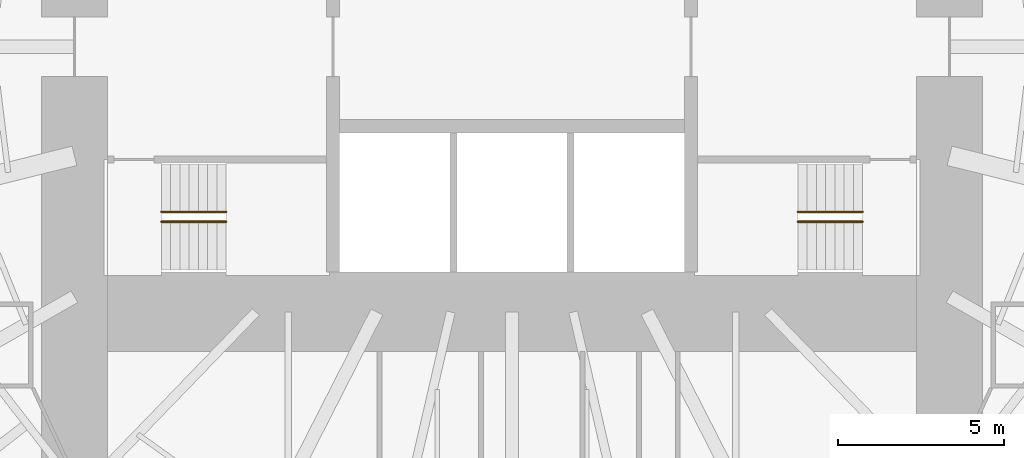
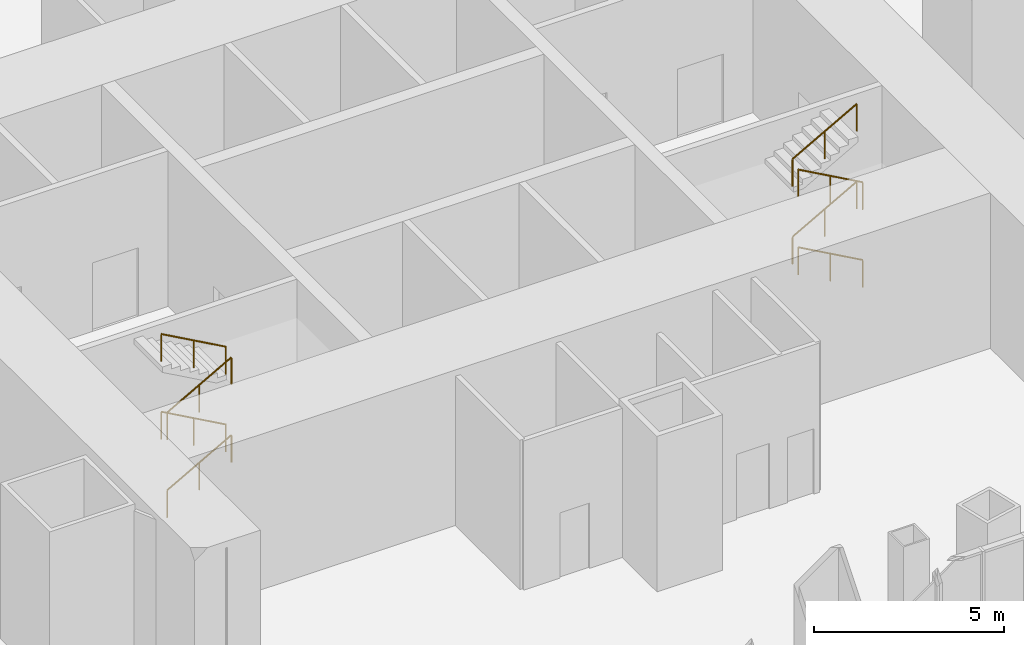
# One storey, part 73 of 73: 8 railings.
"""IFC4 building model written with IfcOpenShell, lengths in metres."""

from ifc_helpers import new_model, si_unit, direction, frame, origin, origin_2d, place, context, subcontext, project, spatial, circle, extrude, material, type_object, element, save


model = new_model("IFC4")

# Units and contexts
model_context = context("Model", 3, precision=1e-05, world=origin(), true_north=direction((0.0, 1.0)))
body_context = subcontext(model_context, "Body", "Model", "MODEL_VIEW")
ifc_project = project(units=[si_unit("LENGTHUNIT", "METRE"), si_unit("AREAUNIT", "SQUARE_METRE"), si_unit("VOLUMEUNIT", "CUBIC_METRE"), si_unit("PLANEANGLEUNIT", "RADIAN"), si_unit("MASSUNIT", "GRAM", prefix="KILO")], contexts=[model_context])

# Site, building, storey
site_placement = place(None, origin())
site = spatial("IfcSite", under=ifc_project, at=site_placement, CompositionType="ELEMENT")
building_placement = place(site_placement, origin())
building = spatial("IfcBuilding", under=site, at=building_placement, Name="Lantaw Convention Tower", CompositionType="ELEMENT")
storey_placement = place(building_placement, frame((0.0, 0.0, 22.0)))
storey = spatial("IfcBuildingStorey", under=building, at=storey_placement, Name="L03", CompositionType="ELEMENT", Elevation=22.0)

# Railings
ifc_material = material(Name="Stainless steel", Category="steel")
railing_type = type_object("IfcRailingType", Name="Stair handrail", PredefinedType="HANDRAIL", material=ifc_material)
railing_1_placement = place(storey_placement, frame((-10.580078125, -5.280029296875, 0.15625)))
element("IfcRailing", 1, at=railing_1_placement, inside=storey, type_object=railing_type, Name="Stair handrail S1", PredefinedType="HANDRAIL", context=body_context, shape_type="SweptSolid", body=[
    extrude(circle(Radius=0.02392578125, at=origin_2d()), frame((0.0, 0.0, 0.8759765625), z_axis=(0.873232148454, 0.0, 0.487304437602), x_axis=(0.0, 1.0, 0.0)), (0.0, 0.0, 1.0), 2.244384765625),
    extrude(circle(Radius=0.02099609375, at=origin_2d()), origin(), (0.0, 0.0, 1.0), 0.851806640625),
    extrude(circle(Radius=0.02099609375, at=origin_2d()), frame((0.97998046875, 0.0, 0.546875)), (0.0, 0.0, 1.0), 0.851806640625),
    extrude(circle(Radius=0.02099609375, at=origin_2d()), frame((1.9599609375, 0.0, 1.09375)), (0.0, 0.0, 1.0), 0.851806640625),
])
railing_2_placement = place(storey_placement, frame((-8.6201171875, -4.97998046875, 1.40625)))
element("IfcRailing", 2, at=railing_2_placement, inside=storey, type_object=railing_type, Name="Stair handrail S1", PredefinedType="HANDRAIL", context=body_context, shape_type="SweptSolid", body=[
    extrude(circle(Radius=0.02392578125, at=origin_2d()), frame((0.0, 0.0, 0.8759765625), z_axis=(-0.873232148454, 0.0, 0.487304437602), x_axis=(0.0, -1.0, 0.0)), (0.0, 0.0, 1.0), 2.244384765625),
    extrude(circle(Radius=0.02099609375, at=origin_2d()), origin(), (0.0, 0.0, 1.0), 0.851806640625),
    extrude(circle(Radius=0.02099609375, at=origin_2d()), frame((-0.97998046875, 0.0, 0.546875)), (0.0, 0.0, 1.0), 0.851806640625),
    extrude(circle(Radius=0.02099609375, at=origin_2d()), frame((-1.9599609375, 0.0, 1.09375)), (0.0, 0.0, 1.0), 0.851806640625),
])
railing_3_placement = place(storey_placement, frame((-10.580078125, -5.280029296875, 2.65625)))
element("IfcRailing", 3, at=railing_3_placement, inside=storey, type_object=railing_type, Name="Stair handrail S1", PredefinedType="HANDRAIL", context=body_context, shape_type="SweptSolid", body=[
    extrude(circle(Radius=0.02392578125, at=origin_2d()), frame((0.0, 0.0, 0.8759765625), z_axis=(0.873232148454, 0.0, 0.487304437602), x_axis=(0.0, 1.0, 0.0)), (0.0, 0.0, 1.0), 2.244384765625),
    extrude(circle(Radius=0.02099609375, at=origin_2d()), origin(), (0.0, 0.0, 1.0), 0.851806640625),
    extrude(circle(Radius=0.02099609375, at=origin_2d()), frame((0.97998046875, 0.0, 0.546875)), (0.0, 0.0, 1.0), 0.851806640625),
    extrude(circle(Radius=0.02099609375, at=origin_2d()), frame((1.9599609375, 0.0, 1.09375)), (0.0, 0.0, 1.0), 0.851806640625),
])
for number, where, name in (
    (4, (-8.6201171875, -4.97998046875, 3.90625), "Stair handrail S1"),
    (5, (10.580078125, -5.280029296875, 0.15625), "Stair handrail S2"),
):
    element("IfcRailing", number, at=place(storey_placement, frame(where)), inside=storey, type_object=railing_type, Name=name, PredefinedType="HANDRAIL", context=body_context, shape_type="SweptSolid", body=[
        extrude(circle(Radius=0.02392578125, at=origin_2d()), frame((0.0, 0.0, 0.8759765625), z_axis=(-0.873232148454, 0.0, 0.487304437602), x_axis=(0.0, -1.0, 0.0)), (0.0, 0.0, 1.0), 2.244384765625),
        extrude(circle(Radius=0.02099609375, at=origin_2d()), origin(), (0.0, 0.0, 1.0), 0.851806640625),
        extrude(circle(Radius=0.02099609375, at=origin_2d()), frame((-0.97998046875, 0.0, 0.546875)), (0.0, 0.0, 1.0), 0.851806640625),
        extrude(circle(Radius=0.02099609375, at=origin_2d()), frame((-1.9599609375, 0.0, 1.09375)), (0.0, 0.0, 1.0), 0.851806640625),
    ])
railing_4_placement = place(storey_placement, frame((8.6201171875, -4.97998046875, 1.40625)))
element("IfcRailing", 6, at=railing_4_placement, inside=storey, type_object=railing_type, Name="Stair handrail S2", PredefinedType="HANDRAIL", context=body_context, shape_type="SweptSolid", body=[
    extrude(circle(Radius=0.02392578125, at=origin_2d()), frame((0.0, 0.0, 0.8759765625), z_axis=(0.873232148454, 0.0, 0.487304437602), x_axis=(0.0, 1.0, 0.0)), (0.0, 0.0, 1.0), 2.244384765625),
    extrude(circle(Radius=0.02099609375, at=origin_2d()), origin(), (0.0, 0.0, 1.0), 0.851806640625),
    extrude(circle(Radius=0.02099609375, at=origin_2d()), frame((0.97998046875, 0.0, 0.546875)), (0.0, 0.0, 1.0), 0.851806640625),
    extrude(circle(Radius=0.02099609375, at=origin_2d()), frame((1.9599609375, 0.0, 1.09375)), (0.0, 0.0, 1.0), 0.851806640625),
])
railing_5_placement = place(storey_placement, frame((10.580078125, -5.280029296875, 2.65625)))
element("IfcRailing", 7, at=railing_5_placement, inside=storey, type_object=railing_type, Name="Stair handrail S2", PredefinedType="HANDRAIL", context=body_context, shape_type="SweptSolid", body=[
    extrude(circle(Radius=0.02392578125, at=origin_2d()), frame((0.0, 0.0, 0.8759765625), z_axis=(-0.873232148454, 0.0, 0.487304437602), x_axis=(0.0, -1.0, 0.0)), (0.0, 0.0, 1.0), 2.244384765625),
    extrude(circle(Radius=0.02099609375, at=origin_2d()), origin(), (0.0, 0.0, 1.0), 0.851806640625),
    extrude(circle(Radius=0.02099609375, at=origin_2d()), frame((-0.97998046875, 0.0, 0.546875)), (0.0, 0.0, 1.0), 0.851806640625),
    extrude(circle(Radius=0.02099609375, at=origin_2d()), frame((-1.9599609375, 0.0, 1.09375)), (0.0, 0.0, 1.0), 0.851806640625),
])
railing_6_placement = place(storey_placement, frame((8.6201171875, -4.97998046875, 3.90625)))
element("IfcRailing", 8, at=railing_6_placement, inside=storey, type_object=railing_type, Name="Stair handrail S2", PredefinedType="HANDRAIL", context=body_context, shape_type="SweptSolid", body=[
    extrude(circle(Radius=0.02392578125, at=origin_2d()), frame((0.0, 0.0, 0.8759765625), z_axis=(0.873232148454, 0.0, 0.487304437602), x_axis=(0.0, 1.0, 0.0)), (0.0, 0.0, 1.0), 2.244384765625),
    extrude(circle(Radius=0.02099609375, at=origin_2d()), origin(), (0.0, 0.0, 1.0), 0.851806640625),
    extrude(circle(Radius=0.02099609375, at=origin_2d()), frame((0.97998046875, 0.0, 0.546875)), (0.0, 0.0, 1.0), 0.851806640625),
    extrude(circle(Radius=0.02099609375, at=origin_2d()), frame((1.9599609375, 0.0, 1.09375)), (0.0, 0.0, 1.0), 0.851806640625),
])

save(model, "model.ifc")
